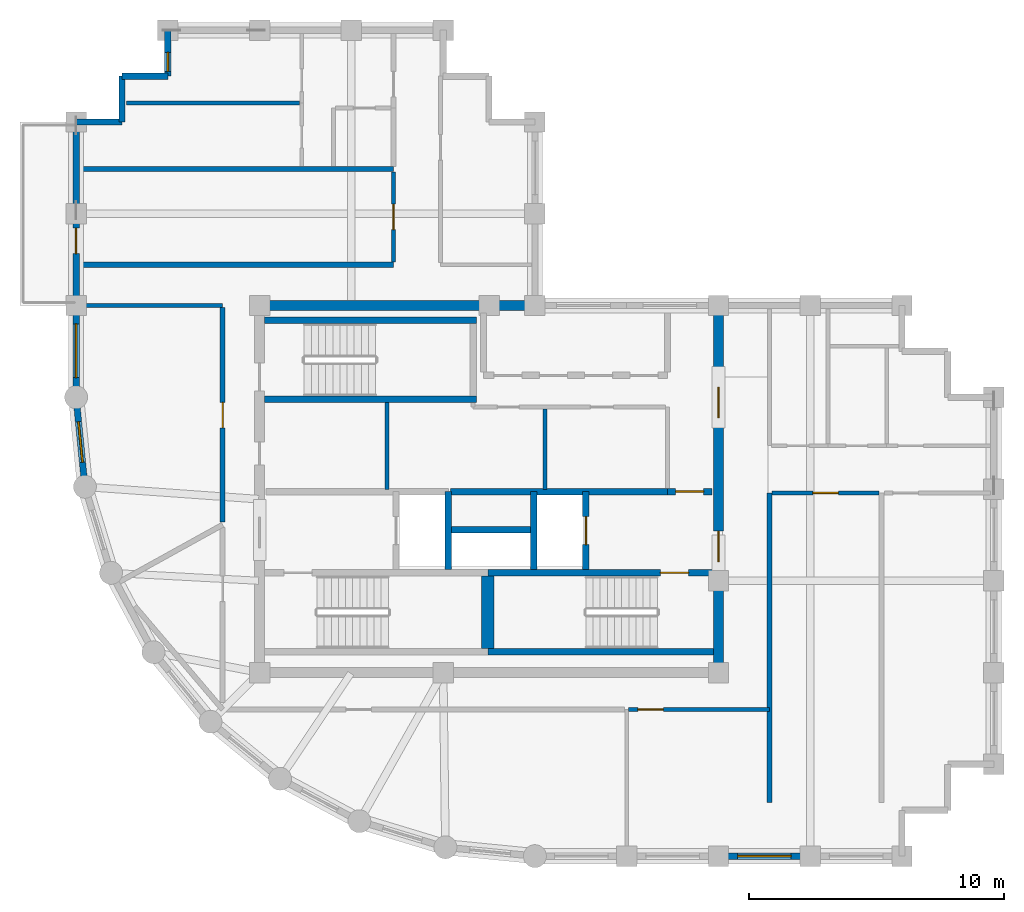
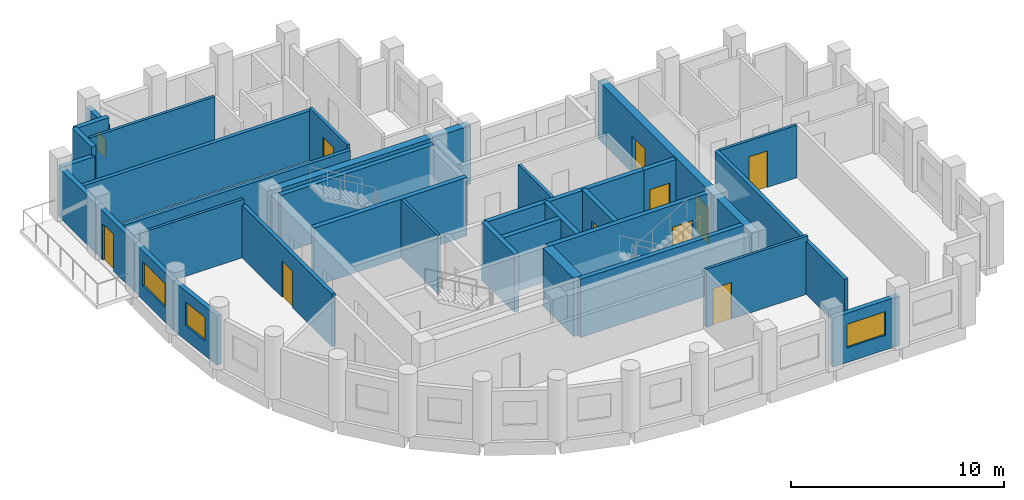
# One storey, part 3 of 6: 33 walls, 10 doors, 4 windows, 14 openings.
"""IFC4 building model written with IfcOpenShell, lengths in metres."""

from ifc_helpers import new_model, si_unit, direction, frame, frame_2d, origin, place, context, subcontext, project, spatial, rectangle, extrude, material, layer, layer_set, type_object, element, fill, save


model = new_model("IFC4")

# Units and contexts
model_context = context("Model", 3, precision=1e-05, world=origin(), true_north=direction((0.0, 1.0)))
body_context = subcontext(model_context, "Body", "Model", "MODEL_VIEW")
ifc_project = project(units=[si_unit("LENGTHUNIT", "METRE"), si_unit("AREAUNIT", "SQUARE_METRE"), si_unit("VOLUMEUNIT", "CUBIC_METRE"), si_unit("PLANEANGLEUNIT", "RADIAN"), si_unit("MASSUNIT", "GRAM", prefix="KILO")], contexts=[model_context])

# Site, building, storey
site_placement = place(None, origin())
site = spatial("IfcSite", under=ifc_project, at=site_placement, CompositionType="ELEMENT")
building_placement = place(site_placement, origin())
building = spatial("IfcBuilding", under=site, at=building_placement, Name="Solnavia Interchange Tower", CompositionType="ELEMENT")
storey_placement = place(building_placement, frame((0.0, 0.0, 270.199951171875)))
storey = spatial("IfcBuildingStorey", under=building, at=storey_placement, Name="L68", CompositionType="ELEMENT", Elevation=270.199951171875)

# Wall, opening, door
ifc_material_1 = material(Name="Gypsum Acoustic Twin-Stud & Mineral Wool", Category="gypsum")
ifc_layer_1 = layer(ifc_material_1, 0.199951171875)
ifc_layer_set_1 = layer_set([ifc_layer_1], Name="Gypsum Acoustic Twin-Stud & Mineral Wool")
wall_type_1 = type_object("IfcWallType", Name="Wall-ApartmentParty-200", PredefinedType="PARTITIONING", material=ifc_layer_set_1)
wall_1_placement = place(storey_placement, frame((12.949951171875, 16.7041015625, 0.0), z_axis=(0.0, 0.0, 1.0), x_axis=(0.0, 1.0, 0.0)))
wall_1 = element("IfcWall", 1, at=wall_1_placement, inside=storey, type_object=wall_type_1, Name="PTW-L68-11 Interior partition wall", PredefinedType="PARTITIONING", context=body_context, shape_type="SweptSolid", body=[
    extrude(rectangle(XDim=8.4169921875, YDim=0.199951171875, at=frame_2d((4.20849609375, 0.0))), origin(), (0.0, 0.0, 1.0), 3.02001953125),
])
opening_1_placement = place(wall_1_placement, frame((3.696044921875, 0.0, 0.0)))
opening_1 = element("IfcOpeningElement", 2, at=opening_1_placement, cuts=wall_1, Name="Opening DR-07", PredefinedType="OPENING", context=body_context, shape_type="SweptSolid", body=[
    extrude(rectangle(XDim=1.0, YDim=2.10009765625, at=frame_2d((0.5, 1.050048828125))), frame((0.0, 0.10986328125, 0.0), z_axis=(0.0, -1.0, 0.0), x_axis=(1.0, 0.0, 0.0)), (0.0, 0.0, 1.0), 0.219970703125),
])
ifc_material_2 = material(Name="Timber & Acoustic Glazed Office Door", Category="wood")
door_type_1 = type_object("IfcDoorType", Name="Door-Office-1000x2100", OperationType="SINGLE_SWING_RIGHT", PredefinedType="DOOR", material=ifc_material_2)
door_1_placement = place(opening_1_placement, origin())
door_1 = element("IfcDoor", 3, at=door_1_placement, inside=storey, type_object=door_type_1, Name="DR-L68-03 Interior room door", OperationType="SINGLE_SWING_LEFT", OverallHeight=2.10009765625, OverallWidth=1.0, PredefinedType="DOOR", context=body_context, shape_type="SweptSolid", body=[
    extrude(rectangle(XDim=1.0, YDim=2.10009765625, at=frame_2d((0.5, 1.050048828125))), frame((0.0, 0.02490234375, 0.0), z_axis=(0.0, -1.0, 0.0), x_axis=(1.0, 0.0, 0.0)), (0.0, 0.0, 1.0), 0.050048828125),
])
fill(opening_1, door_1)

# Walls
wall_2_placement = place(storey_placement, frame((34.39990234375, 5.699951171875, 0.0), z_axis=(0.0, 0.0, 1.0), x_axis=(0.0, 1.0, 0.0)))
element("IfcWall", 4, at=wall_2_placement, inside=storey, type_object=wall_type_1, Name="PTW-L68-15 Interior partition wall", PredefinedType="PARTITIONING", context=body_context, shape_type="SweptSolid", body=[
    extrude(rectangle(XDim=12.150146484375, YDim=0.199951171875, at=frame_2d((6.0751953125, 0.0))), origin(), (0.0, 0.0, 1.0), 3.030029296875),
])
for number, where, z_axis, x_axis, name in (
    (5, (7.3291015625, 26.800048828125, 0.0), (0.0, 0.0, 1.0), (1.0, 0.0, 0.0), "PTW-L68-20 Interior partition wall"),
    (6, (7.3291015625, 30.550048828125, 0.0), (0.0, 0.0, 1.0), (1.0, 0.0, 0.0), "PTW-L68-21 Interior partition wall"),
):
    element("IfcWall", number, at=place(storey_placement, frame(where, z_axis=z_axis, x_axis=x_axis)), inside=storey, type_object=wall_type_1, Name=name, PredefinedType="PARTITIONING", context=body_context, shape_type="SweptSolid", body=[
        extrude(rectangle(XDim=12.32080078125, YDim=0.199951171875, at=frame_2d((6.160400390625, 0.0))), origin(), (0.0, 0.0, 1.0), 2.830078125),
    ])

# Wall, opening, window
ifc_material_3 = material(Name="Concrete C40/50", Category="concrete")
ifc_layer_2 = layer(ifc_material_3, 0.25)
ifc_layer_set_2 = layer_set([ifc_layer_2], Name="Concrete C40/50")
wall_type_2 = type_object("IfcWallType", Name="Wall-ExtSpandrel-250", PredefinedType="STANDARD", material=ifc_layer_set_2)
wall_3_placement = place(storey_placement, frame((36.0, 3.60009765625, 0.0), z_axis=(0.0, 0.0, 1.0), x_axis=(-1.0, 0.0, 0.0)))
wall_3 = element("IfcWall", 7, at=wall_3_placement, inside=storey, type_object=wall_type_2, Name="EXW-L68-03 Exterior precast spandrel wall", PredefinedType="STANDARD", context=body_context, shape_type="SweptSolid", body=[
    extrude(rectangle(XDim=3.60009765625, YDim=0.25, at=frame_2d((1.800048828125, 0.0))), origin(), (0.0, 0.0, 1.0), 2.830078125),
])
opening_2_placement = place(wall_3_placement, frame((0.75, 0.0, 0.85009765625)))
opening_2 = element("IfcOpeningElement", 8, at=opening_2_placement, cuts=wall_3, Name="Opening WIN-01", PredefinedType="OPENING", context=body_context, shape_type="SweptSolid", body=[
    extrude(rectangle(XDim=2.10009765625, YDim=1.35009765625, at=frame_2d((1.050048828125, 0.675048828125))), frame((0.0, 0.135009765625, 0.0), z_axis=(0.0, -1.0, 0.0), x_axis=(1.0, 0.0, 0.0)), (0.0, 0.0, 1.0), 0.27001953125),
])
ifc_material_4 = material(Name="Thermal-Break Aluminium & Low-E Glass", Category="aluminium")
window_type_1 = type_object("IfcWindowType", Name="Window-Ribbon-2100x1350", PartitioningType="SINGLE_PANEL", PredefinedType="WINDOW", material=ifc_material_4)
window_1_placement = place(opening_2_placement, origin())
window_1 = element("IfcWindow", 9, at=window_1_placement, inside=storey, type_object=window_type_1, Name="WIN-L68-03 Facade ribbon window", OverallHeight=1.35009765625, OverallWidth=2.10009765625, PartitioningType="SINGLE_PANEL", PredefinedType="WINDOW", context=body_context, shape_type="SweptSolid", body=[
    extrude(rectangle(XDim=2.10009765625, YDim=1.35009765625, at=frame_2d((1.050048828125, 0.675048828125))), frame((0.0, 0.030029296875, 0.0), z_axis=(0.0, -1.0, 0.0), x_axis=(1.0, 0.0, 0.0)), (0.0, 0.0, 1.0), 0.06005859375),
])
fill(opening_2, window_1)

wall_4_placement = place(storey_placement, frame((10.800048828125, 34.199951171875, 0.0), z_axis=(0.0, 0.0, 1.0), x_axis=(0.0, 1.0, 0.0)))
wall_4 = element("IfcWall", 10, at=wall_4_placement, inside=storey, type_object=wall_type_2, Name="EXW-L68-30 Exterior precast spandrel wall", PredefinedType="STANDARD", context=body_context, shape_type="SweptSolid", body=[
    extrude(rectangle(XDim=1.800048828125, YDim=0.25, at=frame_2d((0.89990234375, 0.0))), origin(), (0.0, 0.0, 1.0), 2.830078125),
])
opening_3_placement = place(wall_4_placement, frame((0.179931640625, 0.0, 0.85009765625)))
opening_3 = element("IfcOpeningElement", 11, at=opening_3_placement, cuts=wall_4, Name="Opening WIN-08", PredefinedType="OPENING", context=body_context, shape_type="SweptSolid", body=[
    extrude(rectangle(XDim=0.75, YDim=1.050048828125, at=frame_2d((0.375, 0.52490234375))), frame((0.0, 0.135009765625, 0.0), z_axis=(0.0, -1.0, 0.0), x_axis=(1.0, 0.0, 0.0)), (0.0, 0.0, 1.0), 0.27001953125),
])
window_type_2 = type_object("IfcWindowType", Name="Window-Bedroom-750x1050", PartitioningType="SINGLE_PANEL", PredefinedType="WINDOW", material=ifc_material_4)
window_2_placement = place(opening_3_placement, origin())
window_2 = element("IfcWindow", 12, at=window_2_placement, inside=storey, type_object=window_type_2, Name="WIN-L68-DW01 Dwelling bedroom window", OverallHeight=1.050048828125, OverallWidth=0.75, PartitioningType="SINGLE_PANEL", PredefinedType="WINDOW", context=body_context, shape_type="SweptSolid", body=[
    extrude(rectangle(XDim=0.75, YDim=1.050048828125, at=frame_2d((0.375, 0.52490234375))), frame((0.0, 0.030029296875, 0.0), z_axis=(0.0, -1.0, 0.0), x_axis=(1.0, 0.0, 0.0)), (0.0, 0.0, 1.0), 0.06005859375),
])
fill(opening_3, window_2)

# Walls
for number, where, z_axis, x_axis, name in (
    (13, (9.0, 34.199951171875, 0.0), (0.0, 0.0, 1.0), (1.0, 0.0, 0.0), "EXW-L68-31 Exterior precast spandrel wall"),
    (14, (9.0, 32.39990234375, 0.0), (0.0, 0.0, 1.0), (0.0, 1.0, 0.0), "EXW-L68-32 Exterior precast spandrel wall"),
):
    element("IfcWall", number, at=place(storey_placement, frame(where, z_axis=z_axis, x_axis=x_axis)), inside=storey, type_object=wall_type_2, Name=name, PredefinedType="STANDARD", context=body_context, shape_type="SweptSolid", body=[
        extrude(rectangle(XDim=1.800048828125, YDim=0.25, at=frame_2d((0.89990234375, 0.0))), origin(), (0.0, 0.0, 1.0), 3.3349609375),
    ])
wall_5_placement = place(storey_placement, frame((7.199951171875, 32.39990234375, 0.0), z_axis=(0.0, 0.0, 1.0), x_axis=(1.0, 0.0, 0.0)))
element("IfcWall", 15, at=wall_5_placement, inside=storey, type_object=wall_type_2, Name="EXW-L68-33 Exterior precast spandrel wall", PredefinedType="STANDARD", context=body_context, shape_type="SweptSolid", body=[
    extrude(rectangle(XDim=1.800048828125, YDim=0.25, at=frame_2d((0.89990234375, 0.0))), origin(), (0.0, 0.0, 1.0), 2.830078125),
])
wall_6_placement = place(storey_placement, frame((7.199951171875, 28.800048828125, 0.0), z_axis=(0.0, 0.0, 1.0), x_axis=(0.0, 1.0, 0.0)))
element("IfcWall", 16, at=wall_6_placement, inside=storey, type_object=wall_type_2, Name="EXW-L68-34 Exterior precast spandrel wall", PredefinedType="STANDARD", context=body_context, shape_type="SweptSolid", body=[
    extrude(rectangle(XDim=3.599853515625, YDim=0.25, at=frame_2d((1.7998046875, 0.0))), origin(), (0.0, 0.0, 1.0), 2.830078125),
])

# Wall, opening, door
wall_7_placement = place(storey_placement, frame((7.199951171875, 25.199951171875, 0.0), z_axis=(0.0, 0.0, 1.0), x_axis=(0.0, 1.0, 0.0)))
wall_7 = element("IfcWall", 17, at=wall_7_placement, inside=storey, type_object=wall_type_2, Name="EXW-L68-35 Exterior precast spandrel wall", PredefinedType="STANDARD", context=body_context, shape_type="SweptSolid", body=[
    extrude(rectangle(XDim=3.60009765625, YDim=0.25, at=frame_2d((1.800048828125, 0.0))), origin(), (0.0, 0.0, 1.0), 2.830078125),
])
opening_4_placement = place(wall_7_placement, frame((2.031982421875, 0.0, 0.0)))
opening_4 = element("IfcOpeningElement", 18, at=opening_4_placement, cuts=wall_7, Name="Opening EXD-05", PredefinedType="OPENING", context=body_context, shape_type="SweptSolid", body=[
    extrude(rectangle(XDim=1.0, YDim=2.10009765625, at=frame_2d((0.5, 1.050048828125))), frame((0.0, 0.135009765625, 0.0), z_axis=(0.0, -1.0, 0.0), x_axis=(1.0, 0.0, 0.0)), (0.0, 0.0, 1.0), 0.27001953125),
])
ifc_material_5 = material(Name="Thermally Broken Aluminium & Laminated Glass", Category="aluminium")
door_type_2 = type_object("IfcDoorType", Name="Door-TerraceSingle-1000x2100", OperationType="SINGLE_SWING_LEFT", PredefinedType="DOOR", material=ifc_material_5)
door_2_placement = place(opening_4_placement, origin())
door_2 = element("IfcDoor", 19, at=door_2_placement, inside=storey, type_object=door_type_2, Name="EXD-L68-TER Spiral terrace glazed door", OperationType="SINGLE_SWING_LEFT", OverallHeight=2.10009765625, OverallWidth=1.0, PredefinedType="DOOR", context=body_context, shape_type="SweptSolid", body=[
    extrude(rectangle(XDim=1.0, YDim=2.10009765625, at=frame_2d((0.5, 1.050048828125))), frame((0.0, 0.02490234375, 0.0), z_axis=(0.0, -1.0, 0.0), x_axis=(1.0, 0.0, 0.0)), (0.0, 0.0, 1.0), 0.050048828125),
])
fill(opening_4, door_2)

# Wall, opening, window
wall_8_placement = place(storey_placement, frame((7.199951171875, 21.60009765625, 0.0), z_axis=(0.0, 0.0, 1.0), x_axis=(0.0, 1.0, 0.0)))
wall_8 = element("IfcWall", 20, at=wall_8_placement, inside=storey, type_object=wall_type_2, Name="EXW-L68-36 Exterior precast spandrel wall", PredefinedType="STANDARD", context=body_context, shape_type="SweptSolid", body=[
    extrude(rectangle(XDim=3.599853515625, YDim=0.25, at=frame_2d((1.7998046875, 0.0))), origin(), (0.0, 0.0, 1.0), 2.830078125),
])
opening_5_placement = place(wall_8_placement, frame((0.77490234375, 0.0, 0.85009765625)))
opening_5 = element("IfcOpeningElement", 21, at=opening_5_placement, cuts=wall_8, Name="Opening WIN-01", PredefinedType="OPENING", context=body_context, shape_type="SweptSolid", body=[
    extrude(rectangle(XDim=2.10009765625, YDim=1.35009765625, at=frame_2d((1.050048828125, 0.675048828125))), frame((0.0, 0.135009765625, 0.0), z_axis=(0.0, -1.0, 0.0), x_axis=(1.0, 0.0, 0.0)), (0.0, 0.0, 1.0), 0.27001953125),
])
window_3_placement = place(opening_5_placement, origin())
window_3 = element("IfcWindow", 22, at=window_3_placement, inside=storey, type_object=window_type_1, Name="WIN-L68-36 Facade ribbon window", OverallHeight=1.35009765625, OverallWidth=2.10009765625, PartitioningType="SINGLE_PANEL", PredefinedType="WINDOW", context=body_context, shape_type="SweptSolid", body=[
    extrude(rectangle(XDim=2.10009765625, YDim=1.35009765625, at=frame_2d((1.050048828125, 0.675048828125))), frame((0.0, 0.030029296875, 0.0), z_axis=(0.0, -1.0, 0.0), x_axis=(1.0, 0.0, 0.0)), (0.0, 0.0, 1.0), 0.06005859375),
])
fill(opening_5, window_3)

wall_9_placement = place(storey_placement, frame((7.5458984375, 18.087890625, 0.0), z_axis=(0.0, 0.0, 1.0), x_axis=(-0.09802417461, 0.995184033831, 0.0)))
wall_9 = element("IfcWall", 23, at=wall_9_placement, inside=storey, type_object=wall_type_2, Name="EXW-L68-37 Exterior precast spandrel wall", PredefinedType="STANDARD", context=body_context, shape_type="SweptSolid", body=[
    extrude(rectangle(XDim=3.529296875, YDim=0.25, at=frame_2d((1.7646484375, 0.0))), origin(), (0.0, 0.0, 1.0), 2.830078125),
])
opening_6_placement = place(wall_9_placement, frame((0.965087890625, 0.0, 0.85009765625)))
opening_6 = element("IfcOpeningElement", 24, at=opening_6_placement, cuts=wall_9, Name="Opening WIN-04", PredefinedType="OPENING", context=body_context, shape_type="SweptSolid", body=[
    extrude(rectangle(XDim=1.60009765625, YDim=1.35009765625, at=frame_2d((0.800048828125, 0.675048828125))), frame((0.0, 0.135009765625, 0.0), z_axis=(0.0, -1.0, 0.0), x_axis=(1.0, 0.0, 0.0)), (0.0, 0.0, 1.0), 0.27001953125),
])
window_type_3 = type_object("IfcWindowType", Name="Window-Drum-1600x1350", PartitioningType="SINGLE_PANEL", PredefinedType="WINDOW", material=ifc_material_4)
window_4_placement = place(opening_6_placement, origin())
window_4 = element("IfcWindow", 25, at=window_4_placement, inside=storey, type_object=window_type_3, Name="WIN-L68-37 Facade ribbon window", OverallHeight=1.35009765625, OverallWidth=1.60009765625, PartitioningType="SINGLE_PANEL", PredefinedType="WINDOW", context=body_context, shape_type="SweptSolid", body=[
    extrude(rectangle(XDim=1.60009765625, YDim=1.35009765625, at=frame_2d((0.800048828125, 0.675048828125))), frame((0.0, 0.030029296875, 0.0), z_axis=(0.0, -1.0, 0.0), x_axis=(1.0, 0.0, 0.0)), (0.0, 0.0, 1.0), 0.06005859375),
])
fill(opening_6, window_4)

# Walls
ifc_material_6 = material(Name="Gypsum Plasterboard & Steel Stud", Category="steel")
ifc_layer_3 = layer(ifc_material_6, 0.14990234375)
ifc_layer_set_3 = layer_set([ifc_layer_3], Name="Gypsum Plasterboard & Steel Stud")
wall_type_3 = type_object("IfcWallType", Name="Wall-Partition-150", PredefinedType="PARTITIONING", material=ifc_layer_set_3)
wall_10_placement = place(storey_placement, frame((19.39990234375, 17.97998046875, 0.0), z_axis=(0.0, 0.0, 1.0), x_axis=(0.0, 1.0, 0.0)))
element("IfcWall", 26, at=wall_10_placement, inside=storey, type_object=wall_type_3, Name="CSW-L68-M1 Core shaft wall", PredefinedType="PARTITIONING", context=body_context, shape_type="SweptSolid", body=[
    extrude(rectangle(XDim=3.419921875, YDim=0.14990234375, at=frame_2d((1.7099609375, 0.0))), origin(), (0.0, 0.0, 1.0), 3.3349609375),
])
wall_11_placement = place(storey_placement, frame((25.60009765625, 17.97998046875, 0.0), z_axis=(0.0, 0.0, 1.0), x_axis=(0.0, 1.0, 0.0)))
element("IfcWall", 27, at=wall_11_placement, inside=storey, type_object=wall_type_3, Name="CSW-L68-M2 Core shaft wall", PredefinedType="PARTITIONING", context=body_context, shape_type="SweptSolid", body=[
    extrude(rectangle(XDim=3.169921875, YDim=0.14990234375, at=frame_2d((1.5849609375, 0.0))), origin(), (0.0, 0.0, 1.0), 3.3349609375),
])
wall_12_placement = place(storey_placement, frame((7.3291015625, 25.199951171875, 0.0), z_axis=(0.0, 0.0, 1.0), x_axis=(1.0, 0.0, 0.0)))
element("IfcWall", 28, at=wall_12_placement, inside=storey, type_object=wall_type_3, Name="PTW-L68-07 Interior partition wall", PredefinedType="PARTITIONING", context=body_context, shape_type="SweptSolid", body=[
    extrude(rectangle(XDim=5.620849609375, YDim=0.14990234375, at=frame_2d((2.810546875, 0.0))), origin(), (0.0, 0.0, 1.0), 3.3349609375),
])

# Wall, opening, door
wall_13_placement = place(storey_placement, frame((28.87890625, 9.35009765625, 0.0), z_axis=(0.0, 0.0, 1.0), x_axis=(1.0, 0.0, 0.0)))
wall_13 = element("IfcWall", 29, at=wall_13_placement, inside=storey, type_object=wall_type_3, Name="PTW-L68-14 Interior partition wall", PredefinedType="PARTITIONING", context=body_context, shape_type="SweptSolid", body=[
    extrude(rectangle(XDim=5.52099609375, YDim=0.14990234375, at=frame_2d((2.760498046875, 0.0))), origin(), (0.0, 0.0, 1.0), 3.3349609375),
])
opening_7_placement = place(wall_13_placement, frame((0.360107421875, 0.0, 0.0)))
opening_7 = element("IfcOpeningElement", 30, at=opening_7_placement, cuts=wall_13, Name="Opening DR-07", PredefinedType="OPENING", context=body_context, shape_type="SweptSolid", body=[
    extrude(rectangle(XDim=1.0, YDim=2.10009765625, at=frame_2d((0.5, 1.050048828125))), frame((0.0, 0.0849609375, 0.0), z_axis=(0.0, -1.0, 0.0), x_axis=(1.0, 0.0, 0.0)), (0.0, 0.0, 1.0), 0.169921875),
])
door_3_placement = place(opening_7_placement, origin())
door_3 = element("IfcDoor", 31, at=door_3_placement, inside=storey, type_object=door_type_1, Name="DR-L68-06 Interior room door", OperationType="SINGLE_SWING_LEFT", OverallHeight=2.10009765625, OverallWidth=1.0, PredefinedType="DOOR", context=body_context, shape_type="SweptSolid", body=[
    extrude(rectangle(XDim=1.0, YDim=2.10009765625, at=frame_2d((0.5, 1.050048828125))), frame((0.0, 0.02490234375, 0.0), z_axis=(0.0, -1.0, 0.0), x_axis=(1.0, 0.0, 0.0)), (0.0, 0.0, 1.0), 0.050048828125),
])
fill(opening_7, door_3)

wall_14_placement = place(storey_placement, frame((34.50390625, 17.85009765625, 0.0), z_axis=(0.0, 0.0, 1.0), x_axis=(1.0, 0.0, 0.0)))
wall_14 = element("IfcWall", 32, at=wall_14_placement, inside=storey, type_object=wall_type_3, Name="PTW-L68-17 Interior partition wall", PredefinedType="PARTITIONING", context=body_context, shape_type="SweptSolid", body=[
    extrude(rectangle(XDim=4.192138671875, YDim=0.14990234375, at=frame_2d((2.09619140625, 0.0))), origin(), (0.0, 0.0, 1.0), 3.02001953125),
])
opening_8_placement = place(wall_14_placement, frame((1.595947265625, 0.0, 0.0)))
opening_8 = element("IfcOpeningElement", 33, at=opening_8_placement, cuts=wall_14, Name="Opening DR-07", PredefinedType="OPENING", context=body_context, shape_type="SweptSolid", body=[
    extrude(rectangle(XDim=1.0, YDim=2.10009765625, at=frame_2d((0.5, 1.050048828125))), frame((0.0, 0.0849609375, 0.0), z_axis=(0.0, -1.0, 0.0), x_axis=(1.0, 0.0, 0.0)), (0.0, 0.0, 1.0), 0.169921875),
])
door_4_placement = place(opening_8_placement, origin())
door_4 = element("IfcDoor", 34, at=door_4_placement, inside=storey, type_object=door_type_1, Name="DR-L68-07 Interior room door", OperationType="SINGLE_SWING_LEFT", OverallHeight=2.10009765625, OverallWidth=1.0, PredefinedType="DOOR", context=body_context, shape_type="SweptSolid", body=[
    extrude(rectangle(XDim=1.0, YDim=2.10009765625, at=frame_2d((0.5, 1.050048828125))), frame((0.0, 0.02490234375, 0.0), z_axis=(0.0, -1.0, 0.0), x_axis=(1.0, 0.0, 0.0)), (0.0, 0.0, 1.0), 0.050048828125),
])
fill(opening_8, door_4)

wall_15_placement = place(storey_placement, frame((19.64990234375, 26.904052734375, 0.0), z_axis=(0.0, 0.0, 1.0), x_axis=(0.0, 1.0, 0.0)))
wall_15 = element("IfcWall", 35, at=wall_15_placement, inside=storey, type_object=wall_type_3, Name="PTW-L68-22 Interior partition wall", PredefinedType="PARTITIONING", context=body_context, shape_type="SweptSolid", body=[
    extrude(rectangle(XDim=3.5419921875, YDim=0.14990234375, at=frame_2d((1.77099609375, 0.0))), origin(), (0.0, 0.0, 1.0), 3.030029296875),
])
opening_9_placement = place(wall_15_placement, frame((1.27099609375, 0.0, 0.0)))
opening_9 = element("IfcOpeningElement", 36, at=opening_9_placement, cuts=wall_15, Name="Opening DR-07", PredefinedType="OPENING", context=body_context, shape_type="SweptSolid", body=[
    extrude(rectangle(XDim=1.0, YDim=2.10009765625, at=frame_2d((0.5, 1.050048828125))), frame((0.0, 0.0849609375, 0.0), z_axis=(0.0, -1.0, 0.0), x_axis=(1.0, 0.0, 0.0)), (0.0, 0.0, 1.0), 0.169921875),
])
door_5_placement = place(opening_9_placement, origin())
door_5 = element("IfcDoor", 37, at=door_5_placement, inside=storey, type_object=door_type_1, Name="DR-L68-10 Interior room door", OperationType="SINGLE_SWING_RIGHT", OverallHeight=2.10009765625, OverallWidth=1.0, PredefinedType="DOOR", context=body_context, shape_type="SweptSolid", body=[
    extrude(rectangle(XDim=1.0, YDim=2.10009765625, at=frame_2d((0.5, 1.050048828125))), frame((0.0, 0.02490234375, 0.0), z_axis=(0.0, -1.0, 0.0), x_axis=(1.0, 0.0, 0.0)), (0.0, 0.0, 1.0), 0.050048828125),
])
fill(opening_9, door_5)

# Wall
ifc_layer_4 = layer(ifc_material_3, 0.25)
ifc_layer_set_4 = layer_set([ifc_layer_4], Name="Concrete C40/50")
wall_type_4 = type_object("IfcWallType", Name="Wall-ShaftCore-250", PredefinedType="SHEAR", material=ifc_layer_set_4)
wall_16_placement = place(storey_placement, frame((23.35009765625, 11.625, 0.0), z_axis=(0.0, 0.0, 1.0), x_axis=(1.0, 0.0, 0.0)))
element("IfcWall", 38, at=wall_16_placement, inside=storey, type_object=wall_type_4, Name="SHW-L68-ST2S Core shear wall", PredefinedType="SHEAR", context=body_context, shape_type="SweptSolid", body=[
    extrude(rectangle(XDim=8.849853515625, YDim=0.25, at=frame_2d((4.4248046875, 0.0))), origin(), (0.0, 0.0, 1.0), 3.35009765625),
])

# Wall, opening, door
wall_17_placement = place(storey_placement, frame((23.35009765625, 14.715087890625, 0.0), z_axis=(0.0, 0.0, 1.0), x_axis=(1.0, 0.0, 0.0)))
wall_17 = element("IfcWall", 39, at=wall_17_placement, inside=storey, type_object=wall_type_4, Name="SHW-L68-ST2N Core shear wall", PredefinedType="SHEAR", context=body_context, shape_type="SweptSolid", body=[
    extrude(rectangle(XDim=8.849853515625, YDim=0.25, at=frame_2d((4.4248046875, 0.0))), origin(), (0.0, 0.0, 1.0), 3.35009765625),
])
opening_10_placement = place(wall_17_placement, frame((6.77490234375, 0.0, 0.0)))
opening_10 = element("IfcOpeningElement", 40, at=opening_10_placement, cuts=wall_17, Name="Opening DR-01", PredefinedType="OPENING", context=body_context, shape_type="SweptSolid", body=[
    extrude(rectangle(XDim=1.10009765625, YDim=2.10009765625, at=frame_2d((0.550048828125, 1.050048828125))), frame((0.0, 0.135009765625, 0.0), z_axis=(0.0, -1.0, 0.0), x_axis=(1.0, 0.0, 0.0)), (0.0, 0.0, 1.0), 0.27001953125),
])
ifc_material_7 = material(Name="Steel Fire-Rated Leaf & Frame", Category="steel")
door_type_3 = type_object("IfcDoorType", Name="Door-StairFire-1100x2100", OperationType="SINGLE_SWING_LEFT", PredefinedType="DOOR", material=ifc_material_7)
door_6_placement = place(opening_10_placement, origin())
door_6 = element("IfcDoor", 41, at=door_6_placement, inside=storey, type_object=door_type_3, Name="DR-L68-ST2 Core fire door", OperationType="SINGLE_SWING_LEFT", OverallHeight=2.10009765625, OverallWidth=1.10009765625, PredefinedType="DOOR", context=body_context, shape_type="SweptSolid", body=[
    extrude(rectangle(XDim=1.10009765625, YDim=2.10009765625, at=frame_2d((0.550048828125, 1.050048828125))), frame((0.0, 0.02490234375, 0.0), z_axis=(0.0, -1.0, 0.0), x_axis=(1.0, 0.0, 0.0)), (0.0, 0.0, 1.0), 0.050048828125),
])
fill(opening_10, door_6)

# Walls
for number, where, z_axis, x_axis, name in (
    (42, (14.60009765625, 21.52490234375, 0.0), (0.0, 0.0, 1.0), (1.0, 0.0, 0.0), "SHW-L68-ST3S Core shear wall"),
    (43, (14.60009765625, 24.614990234375, 0.0), (0.0, 0.0, 1.0), (1.0, 0.0, 0.0), "SHW-L68-ST3N Core shear wall"),
):
    element("IfcWall", number, at=place(storey_placement, frame(where, z_axis=z_axis, x_axis=x_axis)), inside=storey, type_object=wall_type_4, Name=name, PredefinedType="SHEAR", context=body_context, shape_type="SweptSolid", body=[
        extrude(rectangle(XDim=8.2998046875, YDim=0.25, at=frame_2d((4.14990234375, 0.0))), origin(), (0.0, 0.0, 1.0), 3.35009765625),
    ])
ifc_layer_5 = layer(ifc_material_3, 0.25)
ifc_layer_set_5 = layer_set([ifc_layer_5], Name="Concrete C40/50")
wall_type_5 = type_object("IfcWallType", Name="Wall-ShaftPart-250", PredefinedType="PARTITIONING", material=ifc_layer_set_5)
wall_18_placement = place(storey_placement, frame((21.800048828125, 14.840087890625, 0.0), z_axis=(0.0, 0.0, 1.0), x_axis=(0.0, 1.0, 0.0)))
element("IfcWall", 44, at=wall_18_placement, inside=storey, type_object=wall_type_5, Name="SHW-L68-FFL1-E Core shaft wall", PredefinedType="PARTITIONING", context=body_context, shape_type="SweptSolid", body=[
    extrude(rectangle(XDim=3.059814453125, YDim=0.25, at=frame_2d((1.52978515625, 0.0))), origin(), (0.0, 0.0, 1.0), 3.3349609375),
])
wall_19_placement = place(storey_placement, frame((21.8798828125, 17.89990234375, 0.0), z_axis=(0.0, 0.0, 1.0), x_axis=(1.0, 0.0, 0.0)))
element("IfcWall", 45, at=wall_19_placement, inside=storey, type_object=wall_type_5, Name="SHW-L68-FFLE-N1 Core shaft wall", PredefinedType="PARTITIONING", context=body_context, shape_type="SweptSolid", body=[
    extrude(rectangle(XDim=8.52001953125, YDim=0.25, at=frame_2d((4.260009765625, 0.0))), origin(), (0.0, 0.0, 1.0), 3.3349609375),
])

# Wall, opening, door
wall_20_placement = place(storey_placement, frame((30.39990234375, 17.89990234375, 0.0), z_axis=(0.0, 0.0, 1.0), x_axis=(1.0, 0.0, 0.0)))
wall_20 = element("IfcWall", 46, at=wall_20_placement, inside=storey, type_object=wall_type_5, Name="SHW-L68-FFLE-N2 Core shaft wall", PredefinedType="PARTITIONING", context=body_context, shape_type="SweptSolid", body=[
    extrude(rectangle(XDim=1.75, YDim=0.25, at=frame_2d((0.875, 0.0))), origin(), (0.0, 0.0, 1.0), 3.3349609375),
])
opening_11_placement = place(wall_20_placement, frame((0.320068359375, 0.0, 0.0)))
opening_11 = element("IfcOpeningElement", 47, at=opening_11_placement, cuts=wall_20, Name="Opening DR-01", PredefinedType="OPENING", context=body_context, shape_type="SweptSolid", body=[
    extrude(rectangle(XDim=1.10009765625, YDim=2.10009765625, at=frame_2d((0.550048828125, 1.050048828125))), frame((0.0, 0.135009765625, 0.0), z_axis=(0.0, -1.0, 0.0), x_axis=(1.0, 0.0, 0.0)), (0.0, 0.0, 1.0), 0.27001953125),
])
door_7_placement = place(opening_11_placement, origin())
door_7 = element("IfcDoor", 48, at=door_7_placement, inside=storey, type_object=door_type_3, Name="DR-L68-LLC Core fire door", OperationType="SINGLE_SWING_LEFT", OverallHeight=2.10009765625, OverallWidth=1.10009765625, PredefinedType="DOOR", context=body_context, shape_type="SweptSolid", body=[
    extrude(rectangle(XDim=1.10009765625, YDim=2.10009765625, at=frame_2d((0.550048828125, 1.050048828125))), frame((0.0, 0.02490234375, 0.0), z_axis=(0.0, -1.0, 0.0), x_axis=(1.0, 0.0, 0.0)), (0.0, 0.0, 1.0), 0.050048828125),
])
fill(opening_11, door_7)

# Wall
wall_21_placement = place(storey_placement, frame((25.14990234375, 14.840087890625, 0.0), z_axis=(0.0, 0.0, 1.0), x_axis=(0.0, 1.0, 0.0)))
element("IfcWall", 49, at=wall_21_placement, inside=storey, type_object=wall_type_5, Name="SHW-L68-FFL2-W Core shaft wall", PredefinedType="PARTITIONING", context=body_context, shape_type="SweptSolid", body=[
    extrude(rectangle(XDim=3.059814453125, YDim=0.25, at=frame_2d((1.52978515625, 0.0))), origin(), (0.0, 0.0, 1.0), 3.3349609375),
])

# Wall, opening, door
wall_22_placement = place(storey_placement, frame((27.199951171875, 14.840087890625, 0.0), z_axis=(0.0, 0.0, 1.0), x_axis=(0.0, 1.0, 0.0)))
wall_22 = element("IfcWall", 50, at=wall_22_placement, inside=storey, type_object=wall_type_5, Name="SHW-L68-FFL2-E Core shaft wall", PredefinedType="PARTITIONING", context=body_context, shape_type="SweptSolid", body=[
    extrude(rectangle(XDim=3.059814453125, YDim=0.25, at=frame_2d((1.52978515625, 0.0))), origin(), (0.0, 0.0, 1.0), 3.3349609375),
])
opening_12_placement = place(wall_22_placement, frame((0.97998046875, 0.0, 0.0)))
opening_12 = element("IfcOpeningElement", 51, at=opening_12_placement, cuts=wall_22, Name="Opening LD-01", PredefinedType="OPENING", context=body_context, shape_type="SweptSolid", body=[
    extrude(rectangle(XDim=1.10009765625, YDim=2.10009765625, at=frame_2d((0.550048828125, 1.050048828125))), frame((0.0, 0.135009765625, 0.0), z_axis=(0.0, -1.0, 0.0), x_axis=(1.0, 0.0, 0.0)), (0.0, 0.0, 1.0), 0.27001953125),
])
ifc_material_8 = material(Name="Brushed Stainless Steel Sliding Door", Category="steel")
door_type_4 = type_object("IfcDoorType", Name="Door-LiftLanding-1100x2100", OperationType="SLIDING_TO_LEFT", PredefinedType="DOOR", material=ifc_material_8)
door_8_placement = place(opening_12_placement, origin())
door_8 = element("IfcDoor", 52, at=door_8_placement, inside=storey, type_object=door_type_4, Name="LD-L68-FFL2 Lift landing sliding door", OperationType="SLIDING_TO_LEFT", OverallHeight=2.10009765625, OverallWidth=1.10009765625, PredefinedType="DOOR", context=body_context, shape_type="SweptSolid", body=[
    extrude(rectangle(XDim=1.10009765625, YDim=2.10009765625, at=frame_2d((0.550048828125, 1.050048828125))), frame((0.0, 0.02490234375, 0.0), z_axis=(0.0, -1.0, 0.0), x_axis=(1.0, 0.0, 0.0)), (0.0, 0.0, 1.0), 0.050048828125),
])
fill(opening_12, door_8)

# Walls
wall_23_placement = place(storey_placement, frame((21.800048828125, 16.39990234375, 0.0), z_axis=(0.0, 0.0, 1.0), x_axis=(1.0, 0.0, 0.0)))
element("IfcWall", 53, at=wall_23_placement, inside=storey, type_object=wall_type_5, Name="SHW-L68-MEP-N Core shaft wall", PredefinedType="PARTITIONING", context=body_context, shape_type="SweptSolid", body=[
    extrude(rectangle(XDim=3.349853515625, YDim=0.25, at=frame_2d((1.6748046875, 0.0))), origin(), (0.0, 0.0, 1.0), 3.3349609375),
])
ifc_material_9 = material(Name="Concrete C50/60", Category="concrete")
ifc_layer_6 = layer(ifc_material_9, 0.39990234375)
ifc_layer_set_6 = layer_set([ifc_layer_6], Name="Concrete C50/60")
wall_type_6 = type_object("IfcWallType", Name="Wall-ShearCore-400", PredefinedType="SHEAR", material=ifc_layer_set_6)
wall_24_placement = place(storey_placement, frame((14.39990234375, 25.199951171875, 0.0), z_axis=(0.0, 0.0, 1.0), x_axis=(1.0, 0.0, 0.0)))
element("IfcWall", 54, at=wall_24_placement, inside=storey, type_object=wall_type_6, Name="CRW-L68-N Core shear wall", PredefinedType="SHEAR", context=body_context, shape_type="SweptSolid", body=[
    extrude(rectangle(XDim=10.800048828125, YDim=0.39990234375, at=frame_2d((5.39990234375, 0.0))), origin(), (0.0, 0.0, 1.0), 3.35009765625),
])

# Wall, openings, doors
wall_25_placement = place(storey_placement, frame((32.39990234375, 10.800048828125, 0.0), z_axis=(0.0, 0.0, 1.0), x_axis=(0.0, 1.0, 0.0)))
wall_25 = element("IfcWall", 55, at=wall_25_placement, inside=storey, type_object=wall_type_6, Name="CRW-L68-E Core shear wall", PredefinedType="SHEAR", context=body_context, shape_type="SweptSolid", body=[
    extrude(rectangle(XDim=14.39990234375, YDim=0.39990234375, at=frame_2d((7.199951171875, 0.0))), origin(), (0.0, 0.0, 1.0), 3.35009765625),
])
opening_13_placement = place(wall_25_placement, frame((4.35009765625, 0.0, 0.0)))
opening_13 = element("IfcOpeningElement", 56, at=opening_13_placement, cuts=wall_25, Name="Opening DR-02", PredefinedType="OPENING", context=body_context, shape_type="SweptSolid", body=[
    extrude(rectangle(XDim=1.199951171875, YDim=2.10009765625, at=frame_2d((0.60009765625, 1.050048828125))), frame((0.0, 0.2099609375, 0.0), z_axis=(0.0, -1.0, 0.0), x_axis=(1.0, 0.0, 0.0)), (0.0, 0.0, 1.0), 0.419921875),
])
opening_14_placement = place(wall_25_placement, frame((10.0, 0.0, 0.0)))
opening_14 = element("IfcOpeningElement", 57, at=opening_14_placement, cuts=wall_25, Name="Opening DR-02", PredefinedType="OPENING", context=body_context, shape_type="SweptSolid", body=[
    extrude(rectangle(XDim=1.199951171875, YDim=2.10009765625, at=frame_2d((0.60009765625, 1.050048828125))), frame((0.0, 0.2099609375, 0.0), z_axis=(0.0, -1.0, 0.0), x_axis=(1.0, 0.0, 0.0)), (0.0, 0.0, 1.0), 0.419921875),
])
ifc_material_10 = material(Name="Steel Fire-Rated Vision-Panel Door", Category="steel")
door_type_5 = type_object("IfcDoorType", Name="Door-LobbyFire-1200x2100", OperationType="SINGLE_SWING_RIGHT", PredefinedType="DOOR", material=ifc_material_10)
door_9_placement = place(opening_13_placement, origin())
door_9 = element("IfcDoor", 58, at=door_9_placement, inside=storey, type_object=door_type_5, Name="DR-L68-FFL2E Core fire door", OperationType="SINGLE_SWING_LEFT", OverallHeight=2.10009765625, OverallWidth=1.199951171875, PredefinedType="DOOR", context=body_context, shape_type="SweptSolid", body=[
    extrude(rectangle(XDim=1.199951171875, YDim=2.10009765625, at=frame_2d((0.60009765625, 1.050048828125))), frame((0.0, 0.02490234375, 0.0), z_axis=(0.0, -1.0, 0.0), x_axis=(1.0, 0.0, 0.0)), (0.0, 0.0, 1.0), 0.050048828125),
])
fill(opening_13, door_9)
door_10_placement = place(opening_14_placement, origin())
door_10 = element("IfcDoor", 59, at=door_10_placement, inside=storey, type_object=door_type_5, Name="DR-L68-LLE Core fire door", OperationType="SINGLE_SWING_RIGHT", OverallHeight=2.10009765625, OverallWidth=1.199951171875, PredefinedType="DOOR", context=body_context, shape_type="SweptSolid", body=[
    extrude(rectangle(XDim=1.199951171875, YDim=2.10009765625, at=frame_2d((0.60009765625, 1.050048828125))), frame((0.0, 0.02490234375, 0.0), z_axis=(0.0, -1.0, 0.0), x_axis=(1.0, 0.0, 0.0)), (0.0, 0.0, 1.0), 0.050048828125),
])
fill(opening_14, door_10)

# Walls
ifc_material_11 = material(Name="Concrete C60/75", Category="concrete")
ifc_layer_7 = layer(ifc_material_11, 0.5)
ifc_layer_set_7 = layer_set([ifc_layer_7], Name="Concrete C60/75")
wall_type_7 = type_object("IfcWallType", Name="Wall-ShearCore-500", PredefinedType="SHEAR", material=ifc_layer_set_7)
wall_26_placement = place(storey_placement, frame((23.35009765625, 11.75, 0.0), z_axis=(0.0, 0.0, 1.0), x_axis=(0.0, 1.0, 0.0)))
element("IfcWall", 60, at=wall_26_placement, inside=storey, type_object=wall_type_7, Name="SHW-L68-ST12M Core shear wall", PredefinedType="SHEAR", context=body_context, shape_type="SweptSolid", body=[
    extrude(rectangle(XDim=2.840087890625, YDim=0.5, at=frame_2d((1.419921875, 0.0))), origin(), (0.0, 0.0, 1.0), 3.35009765625),
])
ifc_material_12 = material(Name="Moisture-Resistant Gypsum & Steel Stud", Category="steel")
ifc_layer_8 = layer(ifc_material_12, 0.14990234375)
ifc_layer_set_8 = layer_set([ifc_layer_8], Name="Moisture-Resistant Gypsum & Steel Stud")
wall_type_8 = type_object("IfcWallType", Name="Wall-WetRoom-150", PredefinedType="PARTITIONING", material=ifc_layer_set_8)
wall_27_placement = place(storey_placement, frame((9.179931640625, 33.14990234375, 0.0), z_axis=(0.0, 0.0, 1.0), x_axis=(1.0, 0.0, 0.0)))
element("IfcWall", 61, at=wall_27_placement, inside=storey, type_object=wall_type_8, Name="PTW-L68-29 Interior partition wall", PredefinedType="PARTITIONING", context=body_context, shape_type="SweptSolid", body=[
    extrude(rectangle(XDim=6.791015625, YDim=0.14990234375, at=frame_2d((3.3955078125, 0.0))), origin(), (0.0, 0.0, 1.0), 3.3349609375),
])

save(model, "model.ifc")
